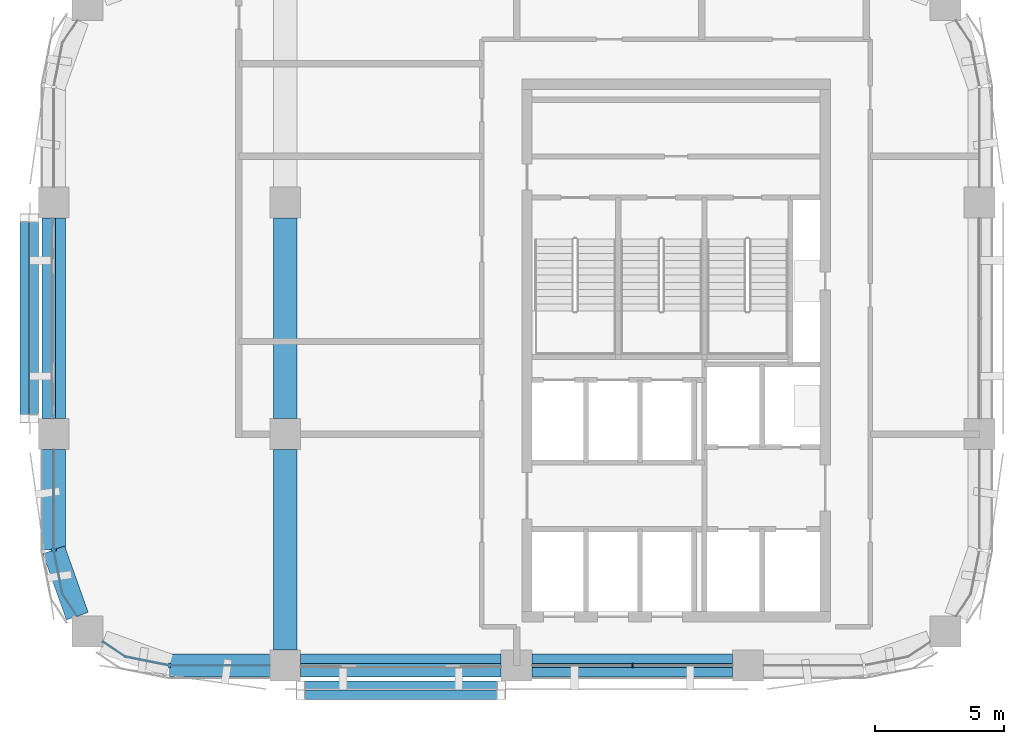
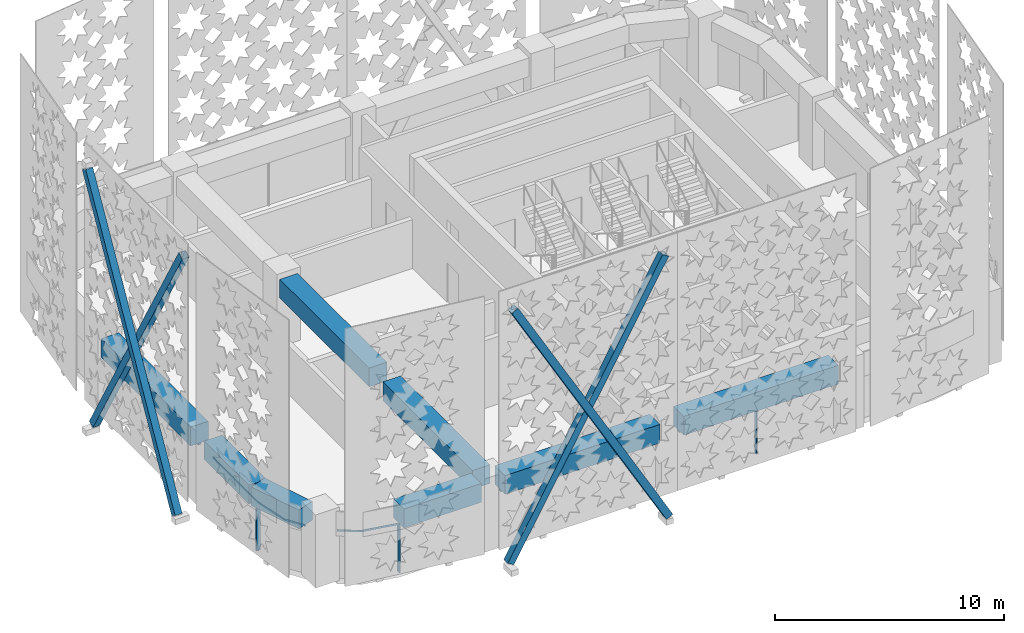
# One storey, part 2 of 17: 12 members, 8 beams, 5 elements without a shape of their own.
"""IFC4 building model written with IfcOpenShell, lengths in metres."""

from ifc_helpers import new_model, si_unit, direction, frame, origin, origin_2d, place, context, subcontext, project, spatial, polyline, rectangle, hollow_rectangle, outline, extrude, material, material_profile, profile_set, type_object, element, aggregate, save


model = new_model("IFC4")

# Units and contexts
model_context = context("Model", 3, precision=1e-05, world=origin(), true_north=direction((0.0, 1.0)))
body_context = subcontext(model_context, "Body", "Model", "MODEL_VIEW")
ifc_project = project(units=[si_unit("LENGTHUNIT", "METRE"), si_unit("AREAUNIT", "SQUARE_METRE"), si_unit("VOLUMEUNIT", "CUBIC_METRE"), si_unit("PLANEANGLEUNIT", "RADIAN"), si_unit("MASSUNIT", "GRAM", prefix="KILO")], contexts=[model_context])

# Site, building, storey
site_placement = place(None, origin())
site = spatial("IfcSite", under=ifc_project, at=site_placement, CompositionType="ELEMENT")
building_placement = place(site_placement, origin())
building = spatial("IfcBuilding", under=site, at=building_placement, Name="Tessera Arch", CompositionType="ELEMENT")
storey_placement = place(building_placement, frame((0.0, 0.0, 281.300048828125)))
storey = spatial("IfcBuildingStorey", under=building, at=storey_placement, Name="L68", CompositionType="ELEMENT", Elevation=281.300048828125)

# Members
ifc_material_1 = material(Name="Steel A500 Gr C", Category="steel")
ifc_material_profile_1 = material_profile(ifc_material_1, hollow_rectangle(XDim=0.355712890625, YDim=0.355712890625, WallThickness=0.01171875, at=origin_2d()), Name="HSS14x14x1/2")
ifc_profile_set_1 = profile_set([ifc_material_profile_1], Name="Steel A500 Gr C")
member_type_1 = type_object("IfcMemberType", Name="Brace HSS14x14x1/2 Steel A500 Gr C", PredefinedType="BRACE", material=ifc_profile_set_1)
for number, where, z_axis, x_axis, name in (
    (1, (17.22216796875, 44.39990234375, -0.800048828125), (0.0, -0.494764064912, 0.869027341383), (1.0, 0.0, 0.0), "Brace W18.27-1 A L68-L70"),
    (2, (16.86669921875, 36.60009765625, -0.800048828125), (0.0, 0.494764064912, 0.869027341383), (-1.0, 0.0, 0.0), "Brace W18.27-1 B L68-L70"),
    (3, (27.60009765625, 26.22216796875, -0.800048828125), (0.494764064912, 0.0, 0.869027341383), (0.0, 1.0, 0.0), "Brace S27.18-1 A L68-L70"),
    (4, (35.39990234375, 25.86669921875, -0.800048828125), (-0.494764064912, 0.0, 0.869027341383), (0.0, -1.0, 0.0), "Brace S27.18-1 B L68-L70"),
):
    element("IfcMember", number, at=place(storey_placement, frame(where, z_axis=z_axis, x_axis=x_axis)), inside=storey, type_object=member_type_1, Name=name, PredefinedType="BRACE", context=body_context, shape_type="SweptSolid", body=[
        extrude(hollow_rectangle(XDim=0.355712890625, YDim=0.355712890625, WallThickness=0.01171875, at=origin_2d()), origin(), (0.0, 0.0, 1.0), 15.7646484375),
    ])

# Curtain wall, members
ifc_material_2 = material(Name="CW1 curtain wall")
curtain_wall_type_1 = type_object("IfcCurtainWallType", Name="CW1 curtain wall", PredefinedType="NOTDEFINED", material=ifc_material_2)
curtain_wall_1_placement = place(storey_placement, origin())
curtain_wall_1 = element("IfcCurtainWall", 5, at=curtain_wall_1_placement, inside=storey, type_object=curtain_wall_type_1, Name="CW1 curtain wall S27.18/2 L68", PredefinedType="NOTDEFINED")
ifc_material_3 = material(Name="Anodised aluminium pale metal", Category="aluminium")
ifc_material_profile_2 = material_profile(ifc_material_3, rectangle(XDim=0.159912109375, YDim=0.06005859375, at=origin_2d()), Name="AL 60x160")
ifc_profile_set_2 = profile_set([ifc_material_profile_2], Name="Anodised aluminium pale metal")
member_type_2 = type_object("IfcMemberType", Name="CW1 mullion", PredefinedType="MULLION", material=ifc_profile_set_2)
member_1_placement = place(storey_placement, frame((40.5, 27.0, 0.0), z_axis=(0.0, 0.0, 1.0), x_axis=(0.0, 1.0, 0.0)))
member_1 = element("IfcMember", 6, at=member_1_placement, type_object=member_type_2, Name="CW1 mullion S27.18/2 1", PredefinedType="MULLION", context=body_context, shape_type="SweptSolid", body=[
    extrude(rectangle(XDim=0.159912109375, YDim=0.06005859375, at=origin_2d()), origin(), (0.0, 0.0, 1.0), 2.5),
])
ifc_material_4 = material(Name="Anodised aluminium pale metal", Category="aluminium")
ifc_material_profile_3 = material_profile(ifc_material_4, rectangle(XDim=0.159912109375, YDim=0.10009765625, at=origin_2d()), Name="AL 160x100")
ifc_profile_set_3 = profile_set([ifc_material_profile_3], Name="Anodised aluminium pale metal")
member_type_3 = type_object("IfcMemberType", Name="CW1 transom", PredefinedType="USERDEFINED", material=ifc_profile_set_3)
member_2_placement = place(storey_placement, frame((36.60009765625, 27.0, 2.550048828125), z_axis=(1.0, 0.0, 0.0), x_axis=(0.0, 1.0, 0.0)))
member_2 = element("IfcMember", 7, at=member_2_placement, type_object=member_type_3, Name="CW1 transom S27.18/2 1.1", ObjectType="TRANSOM", PredefinedType="USERDEFINED", context=body_context, shape_type="SweptSolid", body=[
    extrude(rectangle(XDim=0.159912109375, YDim=0.10009765625, at=origin_2d()), origin(), (0.0, 0.0, 1.0), 7.7998046875),
])
aggregate(curtain_wall_1, [member_1, member_2])

# Curtain wall, member
ifc_material_5 = material(Name="CW2 curtain wall")
curtain_wall_type_2 = type_object("IfcCurtainWallType", Name="CW2 curtain wall", PredefinedType="NOTDEFINED", material=ifc_material_5)
curtain_wall_2_placement = place(storey_placement, origin())
curtain_wall_2 = element("IfcCurtainWall", 8, at=curtain_wall_2_placement, inside=storey, type_object=curtain_wall_type_2, Name="CW2 curtain wall W18.27/2 L68", PredefinedType="NOTDEFINED")
ifc_material_6 = material(Name="Anodised aluminium pale metal", Category="aluminium")
ifc_material_profile_4 = material_profile(ifc_material_6, rectangle(XDim=0.199951171875, YDim=0.080078125, at=origin_2d()), Name="AL 80x200")
ifc_profile_set_4 = profile_set([ifc_material_profile_4], Name="Anodised aluminium pale metal")
member_type_4 = type_object("IfcMemberType", Name="CW2 mullion", PredefinedType="MULLION", material=ifc_profile_set_4)
member_3_placement = place(storey_placement, frame((18.0, 31.5, 0.0), z_axis=(0.0, 0.0, 1.0), x_axis=(1.0, 0.0, 0.0)))
member_3 = element("IfcMember", 9, at=member_3_placement, type_object=member_type_4, Name="CW2 mullion W18.27/2 1", PredefinedType="MULLION", context=body_context, shape_type="SweptSolid", body=[
    extrude(rectangle(XDim=0.199951171875, YDim=0.080078125, at=origin_2d()), origin(), (0.0, 0.0, 1.0), 2.5),
])

curtain_wall_3_placement = place(storey_placement, origin())
curtain_wall_3 = element("IfcCurtainWall", 10, at=curtain_wall_3_placement, inside=storey, type_object=curtain_wall_type_2, Name="CW2 curtain wall S27.18/0 L68", PredefinedType="NOTDEFINED")
member_4_placement = place(storey_placement, frame((22.5, 27.0, 0.0), z_axis=(0.0, 0.0, 1.0), x_axis=(0.0, 1.0, 0.0)))
member_4 = element("IfcMember", 11, at=member_4_placement, type_object=member_type_4, Name="CW2 mullion S27.18/0 1", PredefinedType="MULLION", context=body_context, shape_type="SweptSolid", body=[
    extrude(rectangle(XDim=0.199951171875, YDim=0.080078125, at=origin_2d()), origin(), (0.0, 0.0, 1.0), 2.5),
])

# Member
ifc_material_7 = material(Name="Anodised aluminium pale metal", Category="aluminium")
ifc_material_profile_5 = material_profile(ifc_material_7, rectangle(XDim=0.199951171875, YDim=0.10009765625, at=origin_2d()), Name="AL 200x100")
ifc_profile_set_5 = profile_set([ifc_material_profile_5], Name="Anodised aluminium pale metal")
member_type_5 = type_object("IfcMemberType", Name="CW2 transom", PredefinedType="USERDEFINED", material=ifc_profile_set_5)
member_5_placement = place(storey_placement, frame((0.0, 0.0, 2.5)))
member_5 = element("IfcMember", 12, at=member_5_placement, type_object=member_type_5, Name="CW2 transom W18.27/2 1", ObjectType="TRANSOM", PredefinedType="USERDEFINED", context=body_context, shape_type="SweptSolid", body=[
    extrude(outline(polyline([(18.010009765625, 31.5009765625), (18.010009765625, 35.39990234375), (17.989990234375, 35.39990234375), (17.989990234375, 31.4990234375), (18.3330078125, 29.77392578125), (18.90869140625, 28.912353515625), (18.92529296875, 28.923583984375), (18.351806640625, 29.78173828125), (18.010009765625, 31.5009765625)])), origin(), (0.0, 0.0, 1.0), 0.099853515625),
])

aggregate(curtain_wall_2, [member_3, member_5])

member_6_placement = place(storey_placement, frame((0.0, 0.0, 2.5)))
member_6 = element("IfcMember", 13, at=member_6_placement, type_object=member_type_5, Name="CW2 transom S27.18/0 1", ObjectType="TRANSOM", PredefinedType="USERDEFINED", context=body_context, shape_type="SweptSolid", body=[
    extrude(outline(polyline([(20.78173828125, 27.351806640625), (19.923583984375, 27.92529296875), (19.912353515625, 27.90869140625), (20.77392578125, 27.3330078125), (22.4990234375, 26.989990234375), (26.39990234375, 26.989990234375), (26.39990234375, 27.010009765625), (22.5009765625, 27.010009765625), (20.78173828125, 27.351806640625)])), origin(), (0.0, 0.0, 1.0), 0.099853515625),
])

aggregate(curtain_wall_3, [member_4, member_6])

# Curtain wall, member
ifc_material_8 = material(Name="CW3 curtain wall")
curtain_wall_type_3 = type_object("IfcCurtainWallType", Name="CW3 curtain wall", PredefinedType="NOTDEFINED", material=ifc_material_8)
curtain_wall_4_placement = place(storey_placement, origin())
curtain_wall_4 = element("IfcCurtainWall", 14, at=curtain_wall_4_placement, inside=storey, type_object=curtain_wall_type_3, Name="CW3 curtain wall W18.27/1 L68", PredefinedType="NOTDEFINED")
ifc_material_9 = material(Name="Anodised aluminium pale metal", Category="aluminium")
ifc_material_profile_6 = material_profile(ifc_material_9, rectangle(XDim=0.139892578125, YDim=0.10009765625, at=origin_2d()), Name="AL 140x100")
ifc_profile_set_6 = profile_set([ifc_material_profile_6], Name="Anodised aluminium pale metal")
member_type_6 = type_object("IfcMemberType", Name="CW3 transom", PredefinedType="USERDEFINED", material=ifc_profile_set_6)
member_7_placement = place(storey_placement, frame((18.0, 44.39990234375, 2.550048828125), z_axis=(0.0, -1.0, 0.0), x_axis=(1.0, 0.0, 0.0)))
member_7 = element("IfcMember", 15, at=member_7_placement, type_object=member_type_6, Name="CW3 transom W18.27/1 1.1", ObjectType="TRANSOM", PredefinedType="USERDEFINED", context=body_context, shape_type="SweptSolid", body=[
    extrude(rectangle(XDim=0.139892578125, YDim=0.10009765625, at=origin_2d()), origin(), (0.0, 0.0, 1.0), 7.7998046875),
])
aggregate(curtain_wall_4, [member_7])

curtain_wall_5_placement = place(storey_placement, origin())
curtain_wall_5 = element("IfcCurtainWall", 16, at=curtain_wall_5_placement, inside=storey, type_object=curtain_wall_type_3, Name="CW3 curtain wall S27.18/1 L68", PredefinedType="NOTDEFINED")
member_8_placement = place(storey_placement, frame((27.60009765625, 27.0, 2.550048828125), z_axis=(1.0, 0.0, 0.0), x_axis=(0.0, 1.0, 0.0)))
member_8 = element("IfcMember", 17, at=member_8_placement, type_object=member_type_6, Name="CW3 transom S27.18/1 1.1", ObjectType="TRANSOM", PredefinedType="USERDEFINED", context=body_context, shape_type="SweptSolid", body=[
    extrude(rectangle(XDim=0.139892578125, YDim=0.10009765625, at=origin_2d()), origin(), (0.0, 0.0, 1.0), 7.7998046875),
])
aggregate(curtain_wall_5, [member_8])

# Beams
ifc_material_10 = material(Name="Concrete C60/75", Category="concrete")
ifc_material_profile_7 = material_profile(ifc_material_10, rectangle(XDim=0.89990234375, YDim=1.0, at=origin_2d()), Name="RC spandrel beam 900 x 1000 Concrete C60/75")
ifc_profile_set_7 = profile_set([ifc_material_profile_7], Name="Concrete C60/75")
beam_type = type_object("IfcBeamType", Name="RC spandrel beam 900 x 1000 Concrete C60/75", PredefinedType="BEAM", material=ifc_profile_set_7)
beam_1_placement = place(storey_placement, frame((18.0, 44.39990234375, 3.099853515625), z_axis=(0.0, -1.0, 0.0), x_axis=(1.0, 0.0, 0.0)))
element("IfcBeam", 18, at=beam_1_placement, inside=storey, type_object=beam_type, Name="Spandrel beam L68 W18.27/1", PredefinedType="BEAM", context=body_context, shape_type="SweptSolid", body=[
    extrude(rectangle(XDim=0.89990234375, YDim=1.0, at=origin_2d()), origin(), (0.0, 0.0, 1.0), 7.7998046875),
])
beam_2_placement = place(storey_placement, frame((18.0, 35.39990234375, 3.099853515625), z_axis=(0.0, -1.0, 0.0), x_axis=(1.0, 0.0, 0.0)))
element("IfcBeam", 19, at=beam_2_placement, inside=storey, type_object=beam_type, Name="Spandrel beam L68 W18.27/2.1", PredefinedType="BEAM", context=body_context, shape_type="SweptSolid", body=[
    extrude(rectangle(XDim=0.89990234375, YDim=1.0, at=origin_2d()), origin(), (0.0, 0.0, 1.0), 3.89990234375),
])
beam_3_placement = place(storey_placement, frame((18.0, 31.5, 3.099853515625), z_axis=(0.334665114373, -0.942337127159, 0.0), x_axis=(0.942337127159, 0.334665114373, 0.0)))
element("IfcBeam", 20, at=beam_3_placement, inside=storey, type_object=beam_type, Name="Spandrel beam L68 W18.27/2.2", PredefinedType="BEAM", context=body_context, shape_type="SweptSolid", body=[
    extrude(rectangle(XDim=0.89990234375, YDim=1.0, at=origin_2d()), origin(), (0.0, 0.0, 1.0), 2.739990234375),
])
beam_4_placement = place(storey_placement, frame((22.5, 27.0, 3.099853515625), z_axis=(1.0, 0.0, 0.0), x_axis=(0.0, 1.0, 0.0)))
element("IfcBeam", 21, at=beam_4_placement, inside=storey, type_object=beam_type, Name="Spandrel beam L68 S27.18/0.2", PredefinedType="BEAM", context=body_context, shape_type="SweptSolid", body=[
    extrude(rectangle(XDim=0.89990234375, YDim=1.0, at=origin_2d()), origin(), (0.0, 0.0, 1.0), 3.89990234375),
])
for number, where, z_axis, x_axis, name in (
    (22, (27.60009765625, 27.0, 3.099853515625), (1.0, 0.0, 0.0), (0.0, 1.0, 0.0), "Spandrel beam L68 S27.18/1"),
    (23, (36.60009765625, 27.0, 3.099853515625), (1.0, 0.0, 0.0), (0.0, 1.0, 0.0), "Spandrel beam L68 S27.18/2"),
    (24, (27.0, 27.60009765625, 3.099853515625), (0.0, 1.0, 0.0), (-1.0, 0.0, 0.0), "Interface beam L68 I0C4D-C4E"),
    (25, (27.0, 36.60009765625, 3.099853515625), (0.0, 1.0, 0.0), (-1.0, 0.0, 0.0), "Interface beam L68 I0C4E-C4F"),
):
    element("IfcBeam", number, at=place(storey_placement, frame(where, z_axis=z_axis, x_axis=x_axis)), inside=storey, type_object=beam_type, Name=name, PredefinedType="BEAM", context=body_context, shape_type="SweptSolid", body=[
        extrude(rectangle(XDim=0.89990234375, YDim=1.0, at=origin_2d()), origin(), (0.0, 0.0, 1.0), 7.7998046875),
    ])

save(model, "model.ifc")
